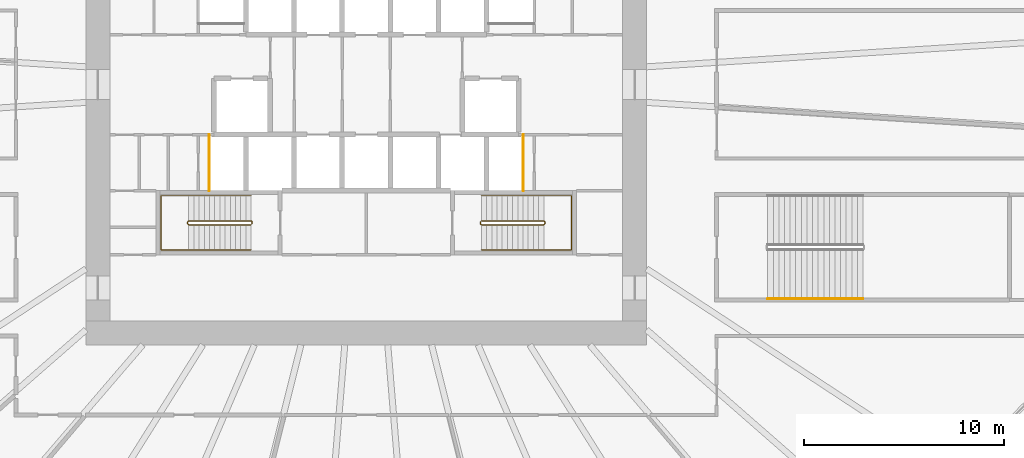
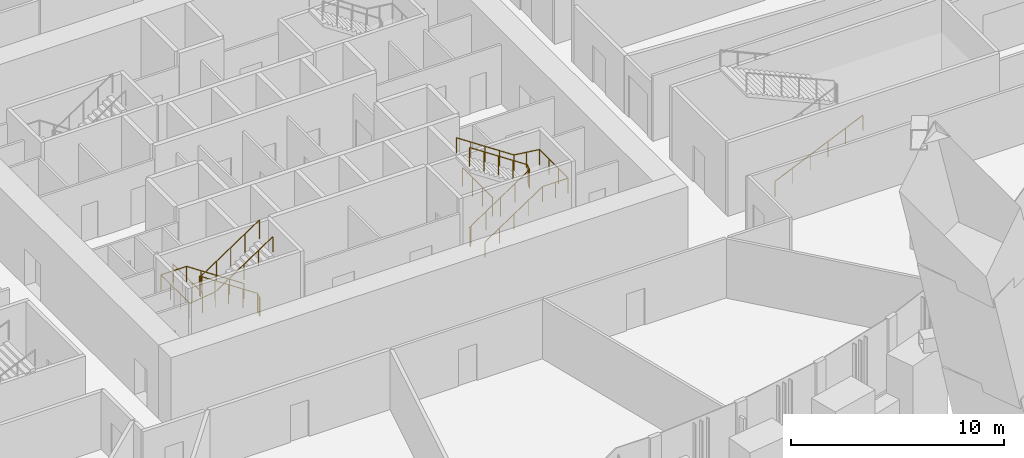
# One storey, part 16 of 23: 7 railings.
"""IFC4 building model written with IfcOpenShell, lengths in metres."""

from ifc_helpers import new_model, si_unit, direction, frame, origin, origin_2d, place, context, subcontext, project, spatial, circle, extrude, source, transform, mapped, material, type_object, element, save


model = new_model("IFC4")

# Units and contexts
model_context = context("Model", 3, precision=1e-05, world=origin(), true_north=direction((0.0, 1.0)))
body_context = subcontext(model_context, "Body", "Model", "MODEL_VIEW")
ifc_project = project(units=[si_unit("LENGTHUNIT", "METRE"), si_unit("AREAUNIT", "SQUARE_METRE"), si_unit("VOLUMEUNIT", "CUBIC_METRE"), si_unit("PLANEANGLEUNIT", "RADIAN"), si_unit("MASSUNIT", "GRAM", prefix="KILO")], contexts=[model_context])

# Site, building, storey
site_placement = place(None, origin())
site = spatial("IfcSite", under=ifc_project, at=site_placement, CompositionType="ELEMENT")
building_placement = place(site_placement, origin())
building = spatial("IfcBuilding", under=site, at=building_placement, Name="Embergate Tower", CompositionType="ELEMENT")
storey_placement = place(building_placement, frame((0.0, 0.0, 29.0)))
storey = spatial("IfcBuildingStorey", under=building, at=storey_placement, Name="L03", CompositionType="ELEMENT", Elevation=29.0)

# Railings
ifc_material_1 = material(Name="Stair guard 1100")
railing_type_1 = type_object("IfcRailingType", Name="Stair guard 1100", PredefinedType="GUARDRAIL", material=ifc_material_1)
shared_shape_1 = source(origin(), body_context, "Body", "SweptSolid", [
    extrude(circle(Radius=0.02392578125, at=origin_2d()), frame((0.0, 0.0, 1.076171875), z_axis=(0.0, 1.0, 0.0), x_axis=(-1.0, 0.0, 0.0)), (0.0, 0.0, 1.0), 0.099853515625),
    extrude(circle(Radius=0.02392578125, at=origin_2d()), frame((0.0, 0.099853515625, 1.076171875), z_axis=(-0.267629722418, 0.267629722418, 0.925607186314), x_axis=(-0.707106781187, -0.707106781187, 0.0)), (0.0, 0.0, 1.0), 0.18701171875),
    extrude(circle(Radius=0.02392578125, at=origin_2d()), frame((-0.050048828125, 0.14990234375, 1.2490234375), z_axis=(-0.83244090515, 0.0, 0.554113832559), x_axis=(0.0, -1.0, 0.0)), (0.0, 0.0, 1.0), 3.748046875),
    extrude(circle(Radius=0.02392578125, at=origin_2d()), frame((-3.170166015625, 0.14990234375, 3.326171875), z_axis=(-0.705375805398, -0.708833529934, 0.0), x_axis=(0.708833529934, -0.705375805398, 0.0)), (0.0, 0.0, 1.0), 0.070556640625),
    extrude(circle(Radius=0.02392578125, at=origin_2d()), frame((-3.219970703125, 0.099853515625, 3.326171875), z_axis=(0.0, -1.0, 0.0), x_axis=(1.0, 0.0, 0.0)), (0.0, 0.0, 1.0), 0.099853515625),
    extrude(circle(Radius=0.02392578125, at=origin_2d()), frame((-3.219970703125, 0.0, 3.326171875), z_axis=(0.266417085129, -0.267723051232, 0.925929967433), x_axis=(0.708833529934, 0.705375805398, 0.0)), (0.0, 0.0, 1.0), 0.18701171875),
    extrude(circle(Radius=0.02392578125, at=origin_2d()), frame((-3.170166015625, -0.050048828125, 3.4990234375), z_axis=(0.83244090515, 0.0, 0.554113832559), x_axis=(0.0, 1.0, 0.0)), (0.0, 0.0, 1.0), 3.748046875),
    extrude(circle(Radius=0.02099609375, at=origin_2d()), origin(), (0.0, 0.0, 1.0), 1.052001953125),
    extrude(circle(Radius=0.02099609375, at=origin_2d()), frame((0.0, 0.099853515625, 0.0)), (0.0, 0.0, 1.0), 1.052001953125),
    extrude(circle(Radius=0.02099609375, at=origin_2d()), frame((-0.050048828125, 0.14990234375, 0.173095703125)), (0.0, 0.0, 1.0), 1.052001953125),
    extrude(circle(Radius=0.02099609375, at=origin_2d()), frame((-0.830078125, 0.14990234375, 0.6923828125)), (0.0, 0.0, 1.0), 1.052001953125),
    extrude(circle(Radius=0.02099609375, at=origin_2d()), frame((-1.610107421875, 0.14990234375, 1.21142578125)), (0.0, 0.0, 1.0), 1.052001953125),
    extrude(circle(Radius=0.02099609375, at=origin_2d()), frame((-2.39013671875, 0.14990234375, 1.730712890625)), (0.0, 0.0, 1.0), 1.052001953125),
    extrude(circle(Radius=0.02099609375, at=origin_2d()), frame((-3.170166015625, 0.14990234375, 2.25)), (0.0, 0.0, 1.0), 1.052001953125),
    extrude(circle(Radius=0.02099609375, at=origin_2d()), frame((-3.219970703125, 0.099853515625, 2.25)), (0.0, 0.0, 1.0), 1.052001953125),
    extrude(circle(Radius=0.02099609375, at=origin_2d()), frame((-3.219970703125, 0.0, 2.25)), (0.0, 0.0, 1.0), 1.052001953125),
    extrude(circle(Radius=0.02099609375, at=origin_2d()), frame((-3.170166015625, -0.050048828125, 2.423095703125)), (0.0, 0.0, 1.0), 1.052001953125),
    extrude(circle(Radius=0.02099609375, at=origin_2d()), frame((-2.39013671875, -0.050048828125, 2.9423828125)), (0.0, 0.0, 1.0), 1.052001953125),
    extrude(circle(Radius=0.02099609375, at=origin_2d()), frame((-1.610107421875, -0.050048828125, 3.46142578125)), (0.0, 0.0, 1.0), 1.052001953125),
    extrude(circle(Radius=0.02099609375, at=origin_2d()), frame((-0.830078125, -0.050048828125, 3.980712890625)), (0.0, 0.0, 1.0), 1.052001953125),
    extrude(circle(Radius=0.02099609375, at=origin_2d()), frame((-0.050048828125, -0.050048828125, 4.5)), (0.0, 0.0, 1.0), 1.052001953125),
])
railing_1_placement = place(storey_placement, frame((-5.699951171875, -6.949951171875, 0.0)))
element("IfcRailing", 1, at=railing_1_placement, inside=storey, type_object=railing_type_1, Name="L03 ST3 stair guard 1", PredefinedType="GUARDRAIL", context=body_context, shape_type="MappedRepresentation", body=[
    mapped(shared_shape_1, transform((0.0, 0.0, 0.0))),
])
ifc_material_2 = material(Name="Stair handrail 900")
railing_type_2 = type_object("IfcRailingType", Name="Stair handrail 900", PredefinedType="HANDRAIL", material=ifc_material_2)
shared_shape_2 = source(origin(), body_context, "Body", "SweptSolid", [
    extrude(circle(Radius=0.02392578125, at=origin_2d()), frame((0.0, 0.0, 0.8759765625), z_axis=(-0.83244090515, 0.0, 0.554113832559), x_axis=(0.0, -1.0, 0.0)), (0.0, 0.0, 1.0), 3.748046875),
    extrude(circle(Radius=0.02392578125, at=origin_2d()), frame((-3.1201171875, 0.0, 2.95263671875), z_axis=(-1.0, 0.0, 0.0), x_axis=(0.0, -1.0, 0.0)), (0.0, 0.0, 1.0), 1.3798828125),
    extrude(circle(Radius=0.02392578125, at=origin_2d()), frame((-4.5, 0.0, 2.95263671875), z_axis=(0.0, -1.0, 0.0), x_axis=(1.0, 0.0, 0.0)), (0.0, 0.0, 1.0), 2.699951171875),
    extrude(circle(Radius=0.02392578125, at=origin_2d()), frame((-4.5, -2.699951171875, 2.95263671875), z_axis=(0.992223766409, 0.0, 0.12446685251), x_axis=(0.0, 1.0, 0.0)), (0.0, 0.0, 1.0), 1.390625),
    extrude(circle(Radius=0.02392578125, at=origin_2d()), frame((-3.1201171875, -2.699951171875, 3.1259765625), z_axis=(0.83244090515, 0.0, 0.554113832559), x_axis=(0.0, 1.0, 0.0)), (0.0, 0.0, 1.0), 3.748046875),
    extrude(circle(Radius=0.02099609375, at=origin_2d()), origin(), (0.0, 0.0, 1.0), 0.851806640625),
    extrude(circle(Radius=0.02099609375, at=origin_2d()), frame((-0.780029296875, 0.0, 0.519287109375)), (0.0, 0.0, 1.0), 0.851806640625),
    extrude(circle(Radius=0.02099609375, at=origin_2d()), frame((-1.56005859375, 0.0, 1.03857421875)), (0.0, 0.0, 1.0), 0.851806640625),
    extrude(circle(Radius=0.02099609375, at=origin_2d()), frame((-2.340087890625, 0.0, 1.5576171875)), (0.0, 0.0, 1.0), 0.851806640625),
    extrude(circle(Radius=0.02099609375, at=origin_2d()), frame((-3.1201171875, 0.0, 2.076904296875)), (0.0, 0.0, 1.0), 0.851806640625),
    extrude(circle(Radius=0.02099609375, at=origin_2d()), frame((-3.81005859375, 0.0, 2.076904296875)), (0.0, 0.0, 1.0), 0.851806640625),
    extrude(circle(Radius=0.02099609375, at=origin_2d()), frame((-4.5, 0.0, 2.076904296875)), (0.0, 0.0, 1.0), 0.851806640625),
    extrude(circle(Radius=0.02099609375, at=origin_2d()), frame((-4.5, -0.89990234375, 2.076904296875)), (0.0, 0.0, 1.0), 0.851806640625),
    extrude(circle(Radius=0.02099609375, at=origin_2d()), frame((-4.5, -1.800048828125, 2.076904296875)), (0.0, 0.0, 1.0), 0.851806640625),
    extrude(circle(Radius=0.02099609375, at=origin_2d()), frame((-4.5, -2.699951171875, 2.076904296875)), (0.0, 0.0, 1.0), 0.851806640625),
    extrude(circle(Radius=0.02099609375, at=origin_2d()), frame((-3.81005859375, -2.699951171875, 2.16357421875)), (0.0, 0.0, 1.0), 0.851806640625),
    extrude(circle(Radius=0.02099609375, at=origin_2d()), frame((-3.1201171875, -2.699951171875, 2.25)), (0.0, 0.0, 1.0), 0.851806640625),
    extrude(circle(Radius=0.02099609375, at=origin_2d()), frame((-2.340087890625, -2.699951171875, 2.769287109375)), (0.0, 0.0, 1.0), 0.851806640625),
    extrude(circle(Radius=0.02099609375, at=origin_2d()), frame((-1.56005859375, -2.699951171875, 3.28857421875)), (0.0, 0.0, 1.0), 0.851806640625),
    extrude(circle(Radius=0.02099609375, at=origin_2d()), frame((-0.780029296875, -2.699951171875, 3.8076171875)), (0.0, 0.0, 1.0), 0.851806640625),
    extrude(circle(Radius=0.02099609375, at=origin_2d()), frame((0.0, -2.699951171875, 4.326904296875)), (0.0, 0.0, 1.0), 0.851806640625),
])
railing_2_placement = place(storey_placement, frame((-5.75, -5.550048828125, 0.173095703125)))
element("IfcRailing", 2, at=railing_2_placement, inside=storey, type_object=railing_type_2, Name="L03 ST3 stair handrail 1", PredefinedType="HANDRAIL", context=body_context, shape_type="MappedRepresentation", body=[
    mapped(shared_shape_2, transform((0.0, 0.0, 0.0))),
])
shared_shape_3 = source(origin(), body_context, "Body", "SweptSolid", [
    extrude(circle(Radius=0.02392578125, at=origin_2d()), frame((0.0, 0.0, 1.076171875), z_axis=(0.0, -1.0, 0.0), x_axis=(1.0, 0.0, 0.0)), (0.0, 0.0, 1.0), 0.099853515625),
    extrude(circle(Radius=0.02392578125, at=origin_2d()), frame((0.0, -0.099853515625, 1.076171875), z_axis=(0.267629722418, -0.267629722418, 0.925607186314), x_axis=(0.707106781187, 0.707106781187, 0.0)), (0.0, 0.0, 1.0), 0.18701171875),
    extrude(circle(Radius=0.02392578125, at=origin_2d()), frame((0.050048828125, -0.14990234375, 1.2490234375), z_axis=(0.83244090515, 0.0, 0.554113832559), x_axis=(0.0, 1.0, 0.0)), (0.0, 0.0, 1.0), 3.748046875),
    extrude(circle(Radius=0.02392578125, at=origin_2d()), frame((3.170166015625, -0.14990234375, 3.326171875), z_axis=(0.705375805398, 0.708833529934, 0.0), x_axis=(-0.708833529934, 0.705375805398, 0.0)), (0.0, 0.0, 1.0), 0.070556640625),
    extrude(circle(Radius=0.02392578125, at=origin_2d()), frame((3.219970703125, -0.099853515625, 3.326171875), z_axis=(0.0, 1.0, 0.0), x_axis=(-1.0, 0.0, 0.0)), (0.0, 0.0, 1.0), 0.099853515625),
    extrude(circle(Radius=0.02392578125, at=origin_2d()), frame((3.219970703125, 0.0, 3.326171875), z_axis=(-0.266417085129, 0.267723051232, 0.925929967433), x_axis=(-0.708833529934, -0.705375805398, 0.0)), (0.0, 0.0, 1.0), 0.18701171875),
    extrude(circle(Radius=0.02392578125, at=origin_2d()), frame((3.170166015625, 0.050048828125, 3.4990234375), z_axis=(-0.83244090515, 0.0, 0.554113832559), x_axis=(0.0, -1.0, 0.0)), (0.0, 0.0, 1.0), 3.748046875),
    extrude(circle(Radius=0.02099609375, at=origin_2d()), origin(), (0.0, 0.0, 1.0), 1.052001953125),
    extrude(circle(Radius=0.02099609375, at=origin_2d()), frame((0.0, -0.099853515625, 0.0)), (0.0, 0.0, 1.0), 1.052001953125),
    extrude(circle(Radius=0.02099609375, at=origin_2d()), frame((0.050048828125, -0.14990234375, 0.173095703125)), (0.0, 0.0, 1.0), 1.052001953125),
    extrude(circle(Radius=0.02099609375, at=origin_2d()), frame((0.830078125, -0.14990234375, 0.6923828125)), (0.0, 0.0, 1.0), 1.052001953125),
    extrude(circle(Radius=0.02099609375, at=origin_2d()), frame((1.610107421875, -0.14990234375, 1.21142578125)), (0.0, 0.0, 1.0), 1.052001953125),
    extrude(circle(Radius=0.02099609375, at=origin_2d()), frame((2.39013671875, -0.14990234375, 1.730712890625)), (0.0, 0.0, 1.0), 1.052001953125),
    extrude(circle(Radius=0.02099609375, at=origin_2d()), frame((3.170166015625, -0.14990234375, 2.25)), (0.0, 0.0, 1.0), 1.052001953125),
    extrude(circle(Radius=0.02099609375, at=origin_2d()), frame((3.219970703125, -0.099853515625, 2.25)), (0.0, 0.0, 1.0), 1.052001953125),
    extrude(circle(Radius=0.02099609375, at=origin_2d()), frame((3.219970703125, 0.0, 2.25)), (0.0, 0.0, 1.0), 1.052001953125),
    extrude(circle(Radius=0.02099609375, at=origin_2d()), frame((3.170166015625, 0.050048828125, 2.423095703125)), (0.0, 0.0, 1.0), 1.052001953125),
    extrude(circle(Radius=0.02099609375, at=origin_2d()), frame((2.39013671875, 0.050048828125, 2.9423828125)), (0.0, 0.0, 1.0), 1.052001953125),
    extrude(circle(Radius=0.02099609375, at=origin_2d()), frame((1.610107421875, 0.050048828125, 3.46142578125)), (0.0, 0.0, 1.0), 1.052001953125),
    extrude(circle(Radius=0.02099609375, at=origin_2d()), frame((0.830078125, 0.050048828125, 3.980712890625)), (0.0, 0.0, 1.0), 1.052001953125),
    extrude(circle(Radius=0.02099609375, at=origin_2d()), frame((0.050048828125, 0.050048828125, 4.5)), (0.0, 0.0, 1.0), 1.052001953125),
])
railing_3_placement = place(storey_placement, frame((5.699951171875, -6.85009765625, 0.0)))
element("IfcRailing", 3, at=railing_3_placement, inside=storey, type_object=railing_type_1, Name="L03 ST4 stair guard 1", PredefinedType="GUARDRAIL", context=body_context, shape_type="MappedRepresentation", body=[
    mapped(shared_shape_3, transform((0.0, 0.0, 0.0))),
])
shared_shape_4 = source(origin(), body_context, "Body", "SweptSolid", [
    extrude(circle(Radius=0.02392578125, at=origin_2d()), frame((0.0, 0.0, 0.8759765625), z_axis=(0.83244090515, 0.0, 0.554113832559), x_axis=(0.0, 1.0, 0.0)), (0.0, 0.0, 1.0), 3.748046875),
    extrude(circle(Radius=0.02392578125, at=origin_2d()), frame((3.1201171875, 0.0, 2.95263671875), z_axis=(1.0, 0.0, 0.0), x_axis=(0.0, 1.0, 0.0)), (0.0, 0.0, 1.0), 1.3798828125),
    extrude(circle(Radius=0.02392578125, at=origin_2d()), frame((4.5, 0.0, 2.95263671875), z_axis=(0.0, 1.0, 0.0), x_axis=(-1.0, 0.0, 0.0)), (0.0, 0.0, 1.0), 2.699951171875),
    extrude(circle(Radius=0.02392578125, at=origin_2d()), frame((4.5, 2.699951171875, 2.95263671875), z_axis=(-0.992223766409, 0.0, 0.12446685251), x_axis=(0.0, -1.0, 0.0)), (0.0, 0.0, 1.0), 1.390625),
    extrude(circle(Radius=0.02392578125, at=origin_2d()), frame((3.1201171875, 2.699951171875, 3.1259765625), z_axis=(-0.83244090515, 0.0, 0.554113832559), x_axis=(0.0, -1.0, 0.0)), (0.0, 0.0, 1.0), 3.748046875),
    extrude(circle(Radius=0.02099609375, at=origin_2d()), origin(), (0.0, 0.0, 1.0), 0.851806640625),
    extrude(circle(Radius=0.02099609375, at=origin_2d()), frame((0.780029296875, 0.0, 0.519287109375)), (0.0, 0.0, 1.0), 0.851806640625),
    extrude(circle(Radius=0.02099609375, at=origin_2d()), frame((1.56005859375, 0.0, 1.03857421875)), (0.0, 0.0, 1.0), 0.851806640625),
    extrude(circle(Radius=0.02099609375, at=origin_2d()), frame((2.340087890625, 0.0, 1.5576171875)), (0.0, 0.0, 1.0), 0.851806640625),
    extrude(circle(Radius=0.02099609375, at=origin_2d()), frame((3.1201171875, 0.0, 2.076904296875)), (0.0, 0.0, 1.0), 0.851806640625),
    extrude(circle(Radius=0.02099609375, at=origin_2d()), frame((3.81005859375, 0.0, 2.076904296875)), (0.0, 0.0, 1.0), 0.851806640625),
    extrude(circle(Radius=0.02099609375, at=origin_2d()), frame((4.5, 0.0, 2.076904296875)), (0.0, 0.0, 1.0), 0.851806640625),
    extrude(circle(Radius=0.02099609375, at=origin_2d()), frame((4.5, 0.89990234375, 2.076904296875)), (0.0, 0.0, 1.0), 0.851806640625),
    extrude(circle(Radius=0.02099609375, at=origin_2d()), frame((4.5, 1.800048828125, 2.076904296875)), (0.0, 0.0, 1.0), 0.851806640625),
    extrude(circle(Radius=0.02099609375, at=origin_2d()), frame((4.5, 2.699951171875, 2.076904296875)), (0.0, 0.0, 1.0), 0.851806640625),
    extrude(circle(Radius=0.02099609375, at=origin_2d()), frame((3.81005859375, 2.699951171875, 2.16357421875)), (0.0, 0.0, 1.0), 0.851806640625),
    extrude(circle(Radius=0.02099609375, at=origin_2d()), frame((3.1201171875, 2.699951171875, 2.25)), (0.0, 0.0, 1.0), 0.851806640625),
    extrude(circle(Radius=0.02099609375, at=origin_2d()), frame((2.340087890625, 2.699951171875, 2.769287109375)), (0.0, 0.0, 1.0), 0.851806640625),
    extrude(circle(Radius=0.02099609375, at=origin_2d()), frame((1.56005859375, 2.699951171875, 3.28857421875)), (0.0, 0.0, 1.0), 0.851806640625),
    extrude(circle(Radius=0.02099609375, at=origin_2d()), frame((0.780029296875, 2.699951171875, 3.8076171875)), (0.0, 0.0, 1.0), 0.851806640625),
    extrude(circle(Radius=0.02099609375, at=origin_2d()), frame((0.0, 2.699951171875, 4.326904296875)), (0.0, 0.0, 1.0), 0.851806640625),
])
railing_4_placement = place(storey_placement, frame((5.75, -8.25, 0.173095703125)))
element("IfcRailing", 4, at=railing_4_placement, inside=storey, type_object=railing_type_2, Name="L03 ST4 stair handrail 1", PredefinedType="HANDRAIL", context=body_context, shape_type="MappedRepresentation", body=[
    mapped(shared_shape_4, transform((0.0, 0.0, 0.0))),
])
ifc_material_3 = material(Name="Opening guard 1100")
railing_type_3 = type_object("IfcRailingType", Name="Opening guard 1100", PredefinedType="GUARDRAIL", material=ifc_material_3)
shared_shape_5 = source(origin(), body_context, "Body", "SweptSolid", [
    extrude(circle(Radius=0.02392578125, at=origin_2d()), frame((0.0, 0.0, 1.076171875), z_axis=(0.0, 1.0, 0.0), x_axis=(-1.0, 0.0, 0.0)), (0.0, 0.0, 1.0), 2.800048828125),
    extrude(circle(Radius=0.02099609375, at=origin_2d()), origin(), (0.0, 0.0, 1.0), 1.052001953125),
    extrude(circle(Radius=0.02099609375, at=origin_2d()), frame((0.0, 0.933349609375, 0.0)), (0.0, 0.0, 1.0), 1.052001953125),
    extrude(circle(Radius=0.02099609375, at=origin_2d()), frame((0.0, 1.86669921875, 0.0)), (0.0, 0.0, 1.0), 1.052001953125),
    extrude(circle(Radius=0.02099609375, at=origin_2d()), frame((0.0, 2.800048828125, 0.0)), (0.0, 0.0, 1.0), 1.052001953125),
])
for number, where, name in (
    (5, (-7.85009765625, -5.300048828125, 0.0), "Riser opening guard"),
    (6, (7.85009765625, -5.300048828125, 0.0), "Riser opening guard"),
):
    element("IfcRailing", number, at=place(storey_placement, frame(where)), inside=storey, type_object=railing_type_3, Name=name, PredefinedType="GUARDRAIL", context=body_context, shape_type="MappedRepresentation", body=[
        mapped(shared_shape_5, transform((0.0, 0.0, 0.0))),
    ])
ifc_material_4 = material(Name="Steel", Category="steel")
railing_type_4 = type_object("IfcRailingType", Name="Podium stair handrail 900", PredefinedType="HANDRAIL", material=ifc_material_4)
shared_shape_6 = source(origin(), body_context, "Body", "SweptSolid", [
    extrude(circle(Radius=0.02392578125, at=origin_2d()), frame((0.0, 0.0, 0.8759765625), z_axis=(0.913138193756, 0.0, 0.40765014302), x_axis=(0.0, 1.0, 0.0)), (0.0, 0.0, 1.0), 5.212890625),
    extrude(circle(Radius=0.02099609375, at=origin_2d()), origin(), (0.0, 0.0, 1.0), 0.851806640625),
    extrude(circle(Radius=0.02099609375, at=origin_2d()), frame((0.951904296875, 0.0, 0.425048828125)), (0.0, 0.0, 1.0), 0.851806640625),
    extrude(circle(Radius=0.02099609375, at=origin_2d()), frame((1.904052734375, 0.0, 0.85009765625)), (0.0, 0.0, 1.0), 0.851806640625),
    extrude(circle(Radius=0.02099609375, at=origin_2d()), frame((2.85595703125, 0.0, 1.27490234375)), (0.0, 0.0, 1.0), 0.851806640625),
    extrude(circle(Radius=0.02099609375, at=origin_2d()), frame((3.80810546875, 0.0, 1.699951171875)), (0.0, 0.0, 1.0), 0.851806640625),
    extrude(circle(Radius=0.02099609375, at=origin_2d()), frame((4.760009765625, 0.0, 2.125)), (0.0, 0.0, 1.0), 0.851806640625),
])
railing_5_placement = place(storey_placement, frame((20.050048828125, -10.699951171875, 0.125)))
element("IfcRailing", 7, at=railing_5_placement, inside=storey, type_object=railing_type_4, Name="L03 P2 stair handrail 1", PredefinedType="HANDRAIL", context=body_context, shape_type="MappedRepresentation", body=[
    mapped(shared_shape_6, transform((0.0, 0.0, 0.0))),
])

save(model, "model.ifc")
